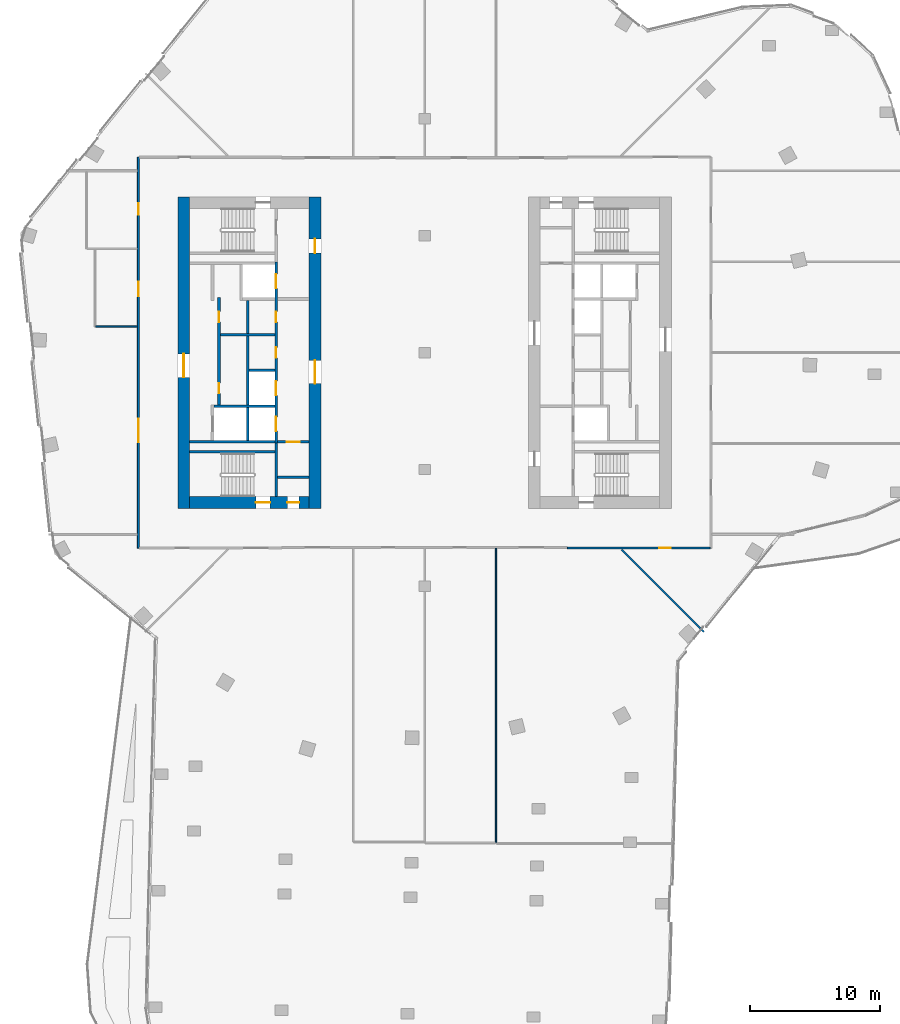
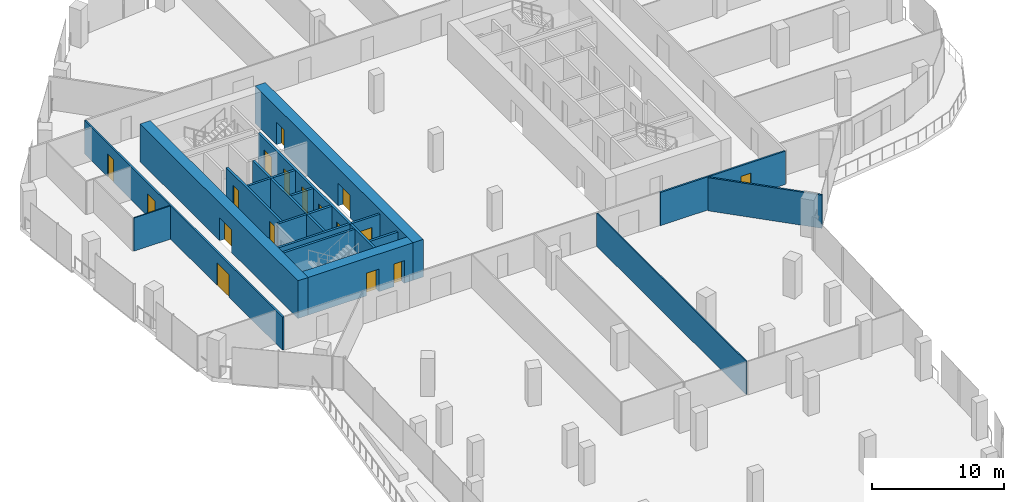
# One storey, part 17 of 24: 21 walls, 17 doors, 17 openings.
"""IFC4 building model written with IfcOpenShell, lengths in metres."""

from ifc_helpers import new_model, si_unit, direction, frame, frame_2d, origin, place, context, subcontext, project, spatial, rectangle, extrude, material, layer, layer_set, type_object, element, fill, save


model = new_model("IFC4")

# Units and contexts
model_context = context("Model", 3, precision=1e-05, world=origin(), true_north=direction((0.0, 1.0)))
body_context = subcontext(model_context, "Body", "Model", "MODEL_VIEW")
ifc_project = project(units=[si_unit("LENGTHUNIT", "METRE"), si_unit("AREAUNIT", "SQUARE_METRE"), si_unit("VOLUMEUNIT", "CUBIC_METRE"), si_unit("PLANEANGLEUNIT", "RADIAN"), si_unit("MASSUNIT", "GRAM", prefix="KILO")], contexts=[model_context])

# Site, building, storey
site_placement = place(None, origin())
site = spatial("IfcSite", under=ifc_project, at=site_placement, CompositionType="ELEMENT")
building_placement = place(site_placement, origin())
building = spatial("IfcBuilding", under=site, at=building_placement, Name="Orlundy Tower", CompositionType="ELEMENT")
storey_placement = place(building_placement, frame((0.0, 0.0, 210.5)))
storey = spatial("IfcBuildingStorey", under=building, at=storey_placement, Name="L55", CompositionType="ELEMENT", Elevation=210.5)

# Wall, openings, doors
ifc_material_1 = material(Name="Concrete C60/75", Category="concrete")
ifc_layer_1 = layer(ifc_material_1, 0.89990234375)
ifc_layer_set_1 = layer_set([ifc_layer_1], Name="CORE WALL 900 C60/75")
wall_type_1 = type_object("IfcWallType", Name="CORE WALL 900 C60/75", PredefinedType="SHEAR", material=ifc_layer_set_1)
wall_1_placement = place(storey_placement, frame((-18.10009765625, -11.550048828125, 0.0), z_axis=(0.0, 0.0, 1.0), x_axis=(1.0, 0.0, 0.0)))
wall_1 = element("IfcWall", 1, at=wall_1_placement, inside=storey, type_object=wall_type_1, Name="Core wall W-S L55", PredefinedType="SHEAR", context=body_context, shape_type="SweptSolid", body=[
    extrude(rectangle(XDim=9.2001953125, YDim=0.89990234375, at=frame_2d((4.60009765625, 0.0))), origin(), (0.0, 0.0, 1.0), 3.5),
])
opening_1_placement = place(wall_1_placement, frame((5.10009765625, 0.0, 0.0)))
opening_1 = element("IfcOpeningElement", 2, at=opening_1_placement, cuts=wall_1, Name="Opening 42013", PredefinedType="OPENING", context=body_context, shape_type="SweptSolid", body=[
    extrude(rectangle(XDim=1.10009765625, YDim=2.10009765625, at=frame_2d((0.550048828125, 1.050048828125))), frame((0.0, 0.4599609375, 0.0), z_axis=(0.0, -1.0, 0.0), x_axis=(1.0, 0.0, 0.0)), (0.0, 0.0, 1.0), 0.919921875),
])
opening_2_placement = place(wall_1_placement, frame((7.530029296875, 0.0, 0.0)))
opening_2 = element("IfcOpeningElement", 3, at=opening_2_placement, cuts=wall_1, Name="Opening 42015", PredefinedType="OPENING", context=body_context, shape_type="SweptSolid", body=[
    extrude(rectangle(XDim=0.89990234375, YDim=2.10009765625, at=frame_2d((0.449951171875, 1.050048828125))), frame((0.0, 0.4599609375, 0.0), z_axis=(0.0, -1.0, 0.0), x_axis=(1.0, 0.0, 0.0)), (0.0, 0.0, 1.0), 0.919921875),
])
ifc_material_2 = material(Name="Timber door set", Category="wood")
door_type_1 = type_object("IfcDoorType", Name="Room Door 900x2100", OperationType="SINGLE_SWING_LEFT", PredefinedType="DOOR", material=ifc_material_2)
door_1_placement = place(opening_2_placement, origin())
door_1 = element("IfcDoor", 4, at=door_1_placement, inside=storey, type_object=door_type_1, Name="Store door 42015", OperationType="SINGLE_SWING_RIGHT", OverallHeight=2.10009765625, OverallWidth=0.89990234375, PredefinedType="DOOR", context=body_context, shape_type="SweptSolid", body=[
    extrude(rectangle(XDim=0.89990234375, YDim=2.10009765625, at=frame_2d((0.449951171875, 1.050048828125))), frame((0.0, 0.02490234375, 0.0), z_axis=(0.0, -1.0, 0.0), x_axis=(1.0, 0.0, 0.0)), (0.0, 0.0, 1.0), 0.050048828125),
])
fill(opening_2, door_1)
ifc_material_3 = material(Name="Steel door set", Category="steel")
door_type_2 = type_object("IfcDoorType", Name="Stair Door 1100x2100", OperationType="SINGLE_SWING_LEFT", PredefinedType="DOOR", material=ifc_material_3)
door_2_placement = place(opening_1_placement, origin())
door_2 = element("IfcDoor", 5, at=door_2_placement, inside=storey, type_object=door_type_2, Name="Stair door 42013", OperationType="SINGLE_SWING_RIGHT", OverallHeight=2.10009765625, OverallWidth=1.10009765625, PredefinedType="DOOR", context=body_context, shape_type="SweptSolid", body=[
    extrude(rectangle(XDim=1.10009765625, YDim=2.10009765625, at=frame_2d((0.550048828125, 1.050048828125))), frame((0.0, 0.02490234375, 0.0), z_axis=(0.0, -1.0, 0.0), x_axis=(1.0, 0.0, 0.0)), (0.0, 0.0, 1.0), 0.050048828125),
])
fill(opening_1, door_2)

# Wall, opening, door
wall_2_placement = place(storey_placement, frame((-18.550048828125, -12.0, 0.0), z_axis=(0.0, 0.0, 1.0), x_axis=(0.0, 1.0, 0.0)))
wall_2 = element("IfcWall", 6, at=wall_2_placement, inside=storey, type_object=wall_type_1, Name="Core wall W-W L55", PredefinedType="SHEAR", context=body_context, shape_type="SweptSolid", body=[
    extrude(rectangle(XDim=24.0, YDim=0.89990234375, at=frame_2d((12.0, 0.0))), origin(), (0.0, 0.0, 1.0), 3.5),
])
opening_3_placement = place(wall_2_placement, frame((10.10009765625, 0.0, 0.0)))
opening_3 = element("IfcOpeningElement", 7, at=opening_3_placement, cuts=wall_2, Name="Opening 42010", PredefinedType="OPENING", context=body_context, shape_type="SweptSolid", body=[
    extrude(rectangle(XDim=1.800048828125, YDim=2.10009765625, at=frame_2d((0.89990234375, 1.050048828125))), frame((0.0, 0.4599609375, 0.0), z_axis=(0.0, -1.0, 0.0), x_axis=(1.0, 0.0, 0.0)), (0.0, 0.0, 1.0), 0.919921875),
])
ifc_material_4 = material(Name="Timber door set", Category="wood")
door_type_3 = type_object("IfcDoorType", Name="Lobby Door 1800x2100", OperationType="DOUBLE_DOOR_DOUBLE_SWING", PredefinedType="DOOR", material=ifc_material_4)
door_3_placement = place(opening_3_placement, origin())
door_3 = element("IfcDoor", 8, at=door_3_placement, inside=storey, type_object=door_type_3, Name="Lift lobby door 42010", OperationType="SINGLE_SWING_LEFT", OverallHeight=2.10009765625, OverallWidth=1.800048828125, PredefinedType="DOOR", context=body_context, shape_type="SweptSolid", body=[
    extrude(rectangle(XDim=1.800048828125, YDim=2.10009765625, at=frame_2d((0.89990234375, 1.050048828125))), frame((0.0, 0.02490234375, 0.0), z_axis=(0.0, -1.0, 0.0), x_axis=(1.0, 0.0, 0.0)), (0.0, 0.0, 1.0), 0.050048828125),
])
fill(opening_3, door_3)

# Wall, openings, doors
wall_3_placement = place(storey_placement, frame((-8.449951171875, -12.0, 0.0), z_axis=(0.0, 0.0, 1.0), x_axis=(0.0, 1.0, 0.0)))
wall_3 = element("IfcWall", 9, at=wall_3_placement, inside=storey, type_object=wall_type_1, Name="Core wall W-E L55", PredefinedType="SHEAR", context=body_context, shape_type="SweptSolid", body=[
    extrude(rectangle(XDim=24.0, YDim=0.89990234375, at=frame_2d((12.0, 0.0))), origin(), (0.0, 0.0, 1.0), 3.5),
])
opening_4_placement = place(wall_3_placement, frame((9.60009765625, 0.0, 0.0)))
opening_4 = element("IfcOpeningElement", 10, at=opening_4_placement, cuts=wall_3, Name="Opening 42009", PredefinedType="OPENING", context=body_context, shape_type="SweptSolid", body=[
    extrude(rectangle(XDim=1.800048828125, YDim=2.10009765625, at=frame_2d((0.89990234375, 1.050048828125))), frame((0.0, 0.4599609375, 0.0), z_axis=(0.0, -1.0, 0.0), x_axis=(1.0, 0.0, 0.0)), (0.0, 0.0, 1.0), 0.919921875),
])
opening_5_placement = place(wall_3_placement, frame((19.64990234375, 0.0, 0.0)))
opening_5 = element("IfcOpeningElement", 11, at=opening_5_placement, cuts=wall_3, Name="Opening 42011", PredefinedType="OPENING", context=body_context, shape_type="SweptSolid", body=[
    extrude(rectangle(XDim=1.10009765625, YDim=2.10009765625, at=frame_2d((0.550048828125, 1.050048828125))), frame((0.0, 0.4599609375, 0.0), z_axis=(0.0, -1.0, 0.0), x_axis=(1.0, 0.0, 0.0)), (0.0, 0.0, 1.0), 0.919921875),
])
ifc_material_5 = material(Name="Steel door set", Category="steel")
door_type_4 = type_object("IfcDoorType", Name="Fire-fighting Lobby Door 1100x2100", OperationType="SINGLE_SWING_LEFT", PredefinedType="DOOR", material=ifc_material_5)
door_4_placement = place(opening_5_placement, origin())
door_4 = element("IfcDoor", 12, at=door_4_placement, inside=storey, type_object=door_type_4, Name="Fire-fighting lobby door 42011", OperationType="SINGLE_SWING_RIGHT", OverallHeight=2.10009765625, OverallWidth=1.10009765625, PredefinedType="DOOR", context=body_context, shape_type="SweptSolid", body=[
    extrude(rectangle(XDim=1.10009765625, YDim=2.10009765625, at=frame_2d((0.550048828125, 1.050048828125))), frame((0.0, 0.02490234375, 0.0), z_axis=(0.0, -1.0, 0.0), x_axis=(1.0, 0.0, 0.0)), (0.0, 0.0, 1.0), 0.050048828125),
])
fill(opening_5, door_4)
door_5_placement = place(opening_4_placement, origin())
door_5 = element("IfcDoor", 13, at=door_5_placement, inside=storey, type_object=door_type_3, Name="Lift lobby door 42009", OperationType="SINGLE_SWING_LEFT", OverallHeight=2.10009765625, OverallWidth=1.800048828125, PredefinedType="DOOR", context=body_context, shape_type="SweptSolid", body=[
    extrude(rectangle(XDim=1.800048828125, YDim=2.10009765625, at=frame_2d((0.89990234375, 1.050048828125))), frame((0.0, 0.02490234375, 0.0), z_axis=(0.0, -1.0, 0.0), x_axis=(1.0, 0.0, 0.0)), (0.0, 0.0, 1.0), 0.050048828125),
])
fill(opening_4, door_5)

# Walls
ifc_material_6 = material(Name="Gypsum board partition")
ifc_layer_2 = layer(ifc_material_6, 0.10009765625)
ifc_layer_set_2 = layer_set([ifc_layer_2], Name="Floor partition 100")
wall_type_2 = type_object("IfcWallType", Name="Floor partition 100", PredefinedType="PARTITIONING", material=ifc_layer_set_2)
wall_4_placement = place(storey_placement, frame((-25.3310546875, 2.0, 0.0), z_axis=(0.0, 0.0, 1.0), x_axis=(1.0, 0.0, 0.0)))
element("IfcWall", 14, at=wall_4_placement, inside=storey, type_object=wall_type_2, Name="wall-int-L55-013", PredefinedType="PARTITIONING", context=body_context, shape_type="SweptSolid", body=[
    extrude(rectangle(XDim=3.2060546875, YDim=0.10009765625, at=frame_2d((1.60302734375, 0.0))), origin(), (0.0, 0.0, 1.0), 3.080078125),
])
wall_5_placement = place(storey_placement, frame((5.49609375, -37.757080078125, 0.0), z_axis=(0.0, 0.0, 1.0), x_axis=(0.0, 1.0, 0.0)))
element("IfcWall", 15, at=wall_5_placement, inside=storey, type_object=wall_type_2, Name="wall-int-L55-024", PredefinedType="PARTITIONING", context=body_context, shape_type="SweptSolid", body=[
    extrude(rectangle(XDim=22.694091796875, YDim=0.10009765625, at=frame_2d((11.34716796875, 0.0))), origin(), (0.0, 0.0, 1.0), 3.080078125),
])
ifc_material_7 = material(Name="Blockwork shaft wall", Category="masonry")
ifc_layer_3 = layer(ifc_material_7, 0.14990234375)
ifc_layer_set_3 = layer_set([ifc_layer_3], Name="Floor shaft wall 150")
wall_type_3 = type_object("IfcWallType", Name="Floor shaft wall 150", PredefinedType="PARTITIONING", material=ifc_layer_set_3)
wall_6_placement = place(storey_placement, frame((15.178955078125, -15.178955078125, 0.0), z_axis=(0.0, 0.0, 1.0), x_axis=(0.707106781187, -0.707106781187, 0.0)))
element("IfcWall", 16, at=wall_6_placement, inside=storey, type_object=wall_type_3, Name="wall-int-L55-002", PredefinedType="PARTITIONING", context=body_context, shape_type="SweptSolid", body=[
    extrude(rectangle(XDim=8.94921875, YDim=0.14990234375, at=frame_2d((4.474609375, 0.0))), origin(), (0.0, 0.0, 1.0), 3.080078125),
])

# Wall, opening, door
wall_7_placement = place(storey_placement, frame((21.97509765625, -15.051025390625, 0.0), z_axis=(0.0, 0.0, 1.0), x_axis=(-1.0, 0.0, 0.0)))
wall_7 = element("IfcWall", 17, at=wall_7_placement, inside=storey, type_object=wall_type_3, Name="wall-int-L55-007", PredefinedType="PARTITIONING", context=body_context, shape_type="SweptSolid", body=[
    extrude(rectangle(XDim=10.984130859375, YDim=0.14990234375, at=frame_2d((5.4921875, 0.0))), origin(), (0.0, 0.0, 1.0), 3.080078125),
])
opening_6_placement = place(wall_7_placement, frame((3.02490234375, 0.0, 0.0)))
opening_6 = element("IfcOpeningElement", 18, at=opening_6_placement, cuts=wall_7, Name="Opening 42101", PredefinedType="OPENING", context=body_context, shape_type="SweptSolid", body=[
    extrude(rectangle(XDim=0.89990234375, YDim=2.10009765625, at=frame_2d((0.449951171875, 1.050048828125))), frame((0.0, 0.0849609375, 0.0), z_axis=(0.0, -1.0, 0.0), x_axis=(1.0, 0.0, 0.0)), (0.0, 0.0, 1.0), 0.169921875),
])
ifc_material_8 = material(Name="Timber door leaf", Category="wood")
door_type_5 = type_object("IfcDoorType", Name="Floor door single 900 FD60", OperationType="NOTDEFINED", PredefinedType="DOOR", material=ifc_material_8)
door_6_placement = place(opening_6_placement, origin())
door_6 = element("IfcDoor", 19, at=door_6_placement, inside=storey, type_object=door_type_5, Name="Door 42101", OperationType="SINGLE_SWING_LEFT", OverallHeight=2.10009765625, OverallWidth=0.89990234375, PredefinedType="DOOR", context=body_context, shape_type="SweptSolid", body=[
    extrude(rectangle(XDim=0.89990234375, YDim=2.10009765625, at=frame_2d((0.449951171875, 1.050048828125))), frame((0.0, 0.02490234375, 0.0), z_axis=(0.0, -1.0, 0.0), x_axis=(1.0, 0.0, 0.0)), (0.0, 0.0, 1.0), 0.050048828125),
])
fill(opening_6, door_6)

# Wall, openings, doors
wall_8_placement = place(storey_placement, frame((-22.050048828125, -15.051025390625, 0.0), z_axis=(0.0, 0.0, 1.0), x_axis=(0.0, 1.0, 0.0)))
wall_8 = element("IfcWall", 20, at=wall_8_placement, inside=storey, type_object=wall_type_3, Name="wall-int-L55-030", PredefinedType="PARTITIONING", context=body_context, shape_type="SweptSolid", body=[
    extrude(rectangle(XDim=30.10205078125, YDim=0.14990234375, at=frame_2d((15.051025390625, 0.0))), origin(), (0.0, 0.0, 1.0), 3.080078125),
])
opening_7_placement = place(wall_8_placement, frame((8.15087890625, 0.0, 0.0)))
opening_7 = element("IfcOpeningElement", 21, at=opening_7_placement, cuts=wall_8, Name="Opening 42117", PredefinedType="OPENING", context=body_context, shape_type="SweptSolid", body=[
    extrude(rectangle(XDim=1.800048828125, YDim=2.10009765625, at=frame_2d((0.89990234375, 1.050048828125))), frame((0.0, 0.0849609375, 0.0), z_axis=(0.0, -1.0, 0.0), x_axis=(1.0, 0.0, 0.0)), (0.0, 0.0, 1.0), 0.169921875),
])
opening_8_placement = place(wall_8_placement, frame((25.652099609375, 0.0, 0.0)))
opening_8 = element("IfcOpeningElement", 22, at=opening_8_placement, cuts=wall_8, Name="Opening 42118", PredefinedType="OPENING", context=body_context, shape_type="SweptSolid", body=[
    extrude(rectangle(XDim=0.89990234375, YDim=2.10009765625, at=frame_2d((0.449951171875, 1.050048828125))), frame((0.0, 0.0849609375, 0.0), z_axis=(0.0, -1.0, 0.0), x_axis=(1.0, 0.0, 0.0)), (0.0, 0.0, 1.0), 0.169921875),
])
opening_9_placement = place(wall_8_placement, frame((19.402099609375, 0.0, 0.0)))
opening_9 = element("IfcOpeningElement", 23, at=opening_9_placement, cuts=wall_8, Name="Opening 42119", PredefinedType="OPENING", context=body_context, shape_type="SweptSolid", body=[
    extrude(rectangle(XDim=1.10009765625, YDim=2.10009765625, at=frame_2d((0.550048828125, 1.050048828125))), frame((0.0, 0.0849609375, 0.0), z_axis=(0.0, -1.0, 0.0), x_axis=(1.0, 0.0, 0.0)), (0.0, 0.0, 1.0), 0.169921875),
])
ifc_material_9 = material(Name="Timber door leaf", Category="wood")
door_type_6 = type_object("IfcDoorType", Name="Floor door double 1800 FD60", OperationType="NOTDEFINED", PredefinedType="DOOR", material=ifc_material_9)
door_7_placement = place(opening_7_placement, origin())
door_7 = element("IfcDoor", 24, at=door_7_placement, inside=storey, type_object=door_type_6, Name="Door 42117", OperationType="DOUBLE_DOOR_SINGLE_SWING", OverallHeight=2.10009765625, OverallWidth=1.800048828125, PredefinedType="DOOR", context=body_context, shape_type="SweptSolid", body=[
    extrude(rectangle(XDim=1.800048828125, YDim=2.10009765625, at=frame_2d((0.89990234375, 1.050048828125))), frame((0.0, 0.02490234375, 0.0), z_axis=(0.0, -1.0, 0.0), x_axis=(1.0, 0.0, 0.0)), (0.0, 0.0, 1.0), 0.050048828125),
])
fill(opening_7, door_7)
door_8_placement = place(opening_8_placement, origin())
door_8 = element("IfcDoor", 25, at=door_8_placement, inside=storey, type_object=door_type_5, Name="Door 42118", OperationType="SINGLE_SWING_RIGHT", OverallHeight=2.10009765625, OverallWidth=0.89990234375, PredefinedType="DOOR", context=body_context, shape_type="SweptSolid", body=[
    extrude(rectangle(XDim=0.89990234375, YDim=2.10009765625, at=frame_2d((0.449951171875, 1.050048828125))), frame((0.0, 0.02490234375, 0.0), z_axis=(0.0, -1.0, 0.0), x_axis=(1.0, 0.0, 0.0)), (0.0, 0.0, 1.0), 0.050048828125),
])
fill(opening_8, door_8)
ifc_material_10 = material(Name="Timber door leaf", Category="wood")
door_type_7 = type_object("IfcDoorType", Name="Floor door xwide 1100 FD60", OperationType="NOTDEFINED", PredefinedType="DOOR", material=ifc_material_10)
door_9_placement = place(opening_9_placement, origin())
door_9 = element("IfcDoor", 26, at=door_9_placement, inside=storey, type_object=door_type_7, Name="Door 42119", OperationType="SINGLE_SWING_RIGHT", OverallHeight=2.10009765625, OverallWidth=1.10009765625, PredefinedType="DOOR", context=body_context, shape_type="SweptSolid", body=[
    extrude(rectangle(XDim=1.10009765625, YDim=2.10009765625, at=frame_2d((0.550048828125, 1.050048828125))), frame((0.0, 0.02490234375, 0.0), z_axis=(0.0, -1.0, 0.0), x_axis=(1.0, 0.0, 0.0)), (0.0, 0.0, 1.0), 0.050048828125),
])
fill(opening_9, door_9)

# Walls
ifc_material_11 = material(Name="Concrete C40/50", Category="concrete")
ifc_layer_4 = layer(ifc_material_11, 0.199951171875)
ifc_layer_set_4 = layer_set([ifc_layer_4], Name="Load-bearing Shaft Wall 200")
wall_type_4 = type_object("IfcWallType", Name="Load-bearing Shaft Wall 200", PredefinedType="SOLIDWALL", material=ifc_layer_set_4)
wall_9_placement = place(storey_placement, frame((-11.43994140625, -11.10009765625, 0.0), z_axis=(0.0, 0.0, 1.0), x_axis=(0.0, 1.0, 0.0)))
element("IfcWall", 27, at=wall_9_placement, inside=storey, type_object=wall_type_4, Name="Shaft wall W42-stair-end-s", PredefinedType="SOLIDWALL", context=body_context, shape_type="SweptSolid", body=[
    extrude(rectangle(XDim=4.125, YDim=0.199951171875, at=frame_2d((2.0625, 0.0))), origin(), (0.0, 0.0, 1.0), 3.090087890625),
])
wall_10_placement = place(storey_placement, frame((-11.5400390625, -7.64990234375, 0.0), z_axis=(0.0, 0.0, 1.0), x_axis=(-1.0, 0.0, 0.0)))
element("IfcWall", 28, at=wall_10_placement, inside=storey, type_object=wall_type_4, Name="Shaft wall W42-stair-side-s", PredefinedType="SOLIDWALL", context=body_context, shape_type="SweptSolid", body=[
    extrude(rectangle(XDim=6.56005859375, YDim=0.199951171875, at=frame_2d((3.280029296875, 0.0))), origin(), (0.0, 0.0, 1.0), 3.090087890625),
])

# Wall, opening, door
ifc_material_12 = material(Name="Gypsum board partition on steel studs", Category="steel")
ifc_layer_5 = layer(ifc_material_12, 0.199951171875)
ifc_layer_set_5 = layer_set([ifc_layer_5], Name="Partition 200")
wall_type_5 = type_object("IfcWallType", Name="Partition 200", PredefinedType="PARTITIONING", material=ifc_layer_set_5)
wall_11_placement = place(storey_placement, frame((-8.89990234375, -6.875, 0.0), z_axis=(0.0, 0.0, 1.0), x_axis=(-1.0, 0.0, 0.0)))
wall_11 = element("IfcWall", 29, at=wall_11_placement, inside=storey, type_object=wall_type_5, Name="Partition wall W42-end-s", PredefinedType="PARTITIONING", context=body_context, shape_type="SweptSolid", body=[
    extrude(rectangle(XDim=2.440185546875, YDim=0.199951171875, at=frame_2d((1.22021484375, 0.0))), origin(), (0.0, 0.0, 1.0), 3.090087890625),
])
opening_10_placement = place(wall_11_placement, frame((0.719970703125, 0.0, 0.0)))
opening_10 = element("IfcOpeningElement", 30, at=opening_10_placement, cuts=wall_11, Name="Opening 42016", PredefinedType="OPENING", context=body_context, shape_type="SweptSolid", body=[
    extrude(rectangle(XDim=1.0, YDim=2.10009765625, at=frame_2d((0.5, 1.050048828125))), frame((0.0, 0.110107421875, 0.0), z_axis=(0.0, -1.0, 0.0), x_axis=(1.0, 0.0, 0.0)), (0.0, 0.0, 1.0), 0.22021484375),
])
ifc_material_13 = material(Name="Timber door set", Category="wood")
door_type_8 = type_object("IfcDoorType", Name="Accessible Door 1000x2100", OperationType="SINGLE_SWING_LEFT", PredefinedType="DOOR", material=ifc_material_13)
door_10_placement = place(opening_10_placement, origin())
door_10 = element("IfcDoor", 31, at=door_10_placement, inside=storey, type_object=door_type_8, Name="Accessible WC door 42016", OperationType="SINGLE_SWING_RIGHT", OverallHeight=2.10009765625, OverallWidth=1.0, PredefinedType="DOOR", context=body_context, shape_type="SweptSolid", body=[
    extrude(rectangle(XDim=1.0, YDim=2.10009765625, at=frame_2d((0.5, 1.050048828125))), frame((0.0, 0.02490234375, 0.0), z_axis=(0.0, -1.0, 0.0), x_axis=(1.0, 0.0, 0.0)), (0.0, 0.0, 1.0), 0.050048828125),
])
fill(opening_10, door_10)

# Walls
wall_12_placement = place(storey_placement, frame((-8.89990234375, -9.60009765625, 0.0), z_axis=(0.0, 0.0, 1.0), x_axis=(-1.0, 0.0, 0.0)))
element("IfcWall", 32, at=wall_12_placement, inside=storey, type_object=wall_type_5, Name="Partition wall W42-room-s0", PredefinedType="PARTITIONING", context=body_context, shape_type="SweptSolid", body=[
    extrude(rectangle(XDim=2.440185546875, YDim=0.199951171875, at=frame_2d((1.22021484375, 0.0))), origin(), (0.0, 0.0, 1.0), 3.090087890625),
])
ifc_material_14 = material(Name="Fire-rated blockwork shaft wall", Category="masonry")
ifc_layer_6 = layer(ifc_material_14, 0.199951171875)
ifc_layer_set_6 = layer_set([ifc_layer_6], Name="Shaft Wall 200")
wall_type_6 = type_object("IfcWallType", Name="Shaft Wall 200", PredefinedType="SOLIDWALL", material=ifc_layer_set_6)
wall_13_placement = place(storey_placement, frame((-11.5400390625, -6.875, 0.0), z_axis=(0.0, 0.0, 1.0), x_axis=(-1.0, 0.0, 0.0)))
element("IfcWall", 33, at=wall_13_placement, inside=storey, type_object=wall_type_6, Name="Shaft wall W42-zone-s", PredefinedType="SOLIDWALL", context=body_context, shape_type="SweptSolid", body=[
    extrude(rectangle(XDim=6.56005859375, YDim=0.199951171875, at=frame_2d((3.280029296875, 0.0))), origin(), (0.0, 0.0, 1.0), 3.090087890625),
])
wall_14_placement = place(storey_placement, frame((-11.5400390625, -4.125, 0.0), z_axis=(0.0, 0.0, 1.0), x_axis=(-1.0, 0.0, 0.0)))
element("IfcWall", 34, at=wall_14_placement, inside=storey, type_object=wall_type_6, Name="Shaft wall W42-cross-4.125", PredefinedType="SOLIDWALL", context=body_context, shape_type="SweptSolid", body=[
    extrude(rectangle(XDim=4.699951171875, YDim=0.199951171875, at=frame_2d((2.35009765625, 0.0))), origin(), (0.0, 0.0, 1.0), 3.090087890625),
])
wall_15_placement = place(storey_placement, frame((-11.5400390625, -1.375, 0.0), z_axis=(0.0, 0.0, 1.0), x_axis=(-1.0, 0.0, 0.0)))
element("IfcWall", 35, at=wall_15_placement, inside=storey, type_object=wall_type_6, Name="Shaft wall W42-cross-1.375", PredefinedType="SOLIDWALL", context=body_context, shape_type="SweptSolid", body=[
    extrude(rectangle(XDim=2.0, YDim=0.199951171875, at=frame_2d((1.0, 0.0))), origin(), (0.0, 0.0, 1.0), 3.090087890625),
])
wall_16_placement = place(storey_placement, frame((-11.5400390625, 1.375, 0.0), z_axis=(0.0, 0.0, 1.0), x_axis=(-1.0, 0.0, 0.0)))
element("IfcWall", 36, at=wall_16_placement, inside=storey, type_object=wall_type_6, Name="Shaft wall W42-cross+1.375", PredefinedType="SOLIDWALL", context=body_context, shape_type="SweptSolid", body=[
    extrude(rectangle(XDim=4.199951171875, YDim=0.199951171875, at=frame_2d((2.10009765625, 0.0))), origin(), (0.0, 0.0, 1.0), 3.090087890625),
])

# Wall, openings, doors
wall_17_placement = place(storey_placement, frame((-11.43994140625, -6.97509765625, 0.0), z_axis=(0.0, 0.0, 1.0), x_axis=(0.0, 1.0, 0.0)))
wall_17 = element("IfcWall", 37, at=wall_17_placement, inside=storey, type_object=wall_type_6, Name="Shaft wall W42-front-h", PredefinedType="SOLIDWALL", context=body_context, shape_type="SweptSolid", body=[
    extrude(rectangle(XDim=13.9501953125, YDim=0.199951171875, at=frame_2d((6.97509765625, 0.0))), origin(), (0.0, 0.0, 1.0), 3.090087890625),
])
opening_11_placement = place(wall_17_placement, frame((0.925048828125, 0.0, 0.0)))
opening_11 = element("IfcOpeningElement", 38, at=opening_11_placement, cuts=wall_17, Name="Opening 42001", PredefinedType="OPENING", context=body_context, shape_type="SweptSolid", body=[
    extrude(rectangle(XDim=1.10009765625, YDim=2.10009765625, at=frame_2d((0.550048828125, 1.050048828125))), frame((0.0, 0.110107421875, 0.0), z_axis=(0.0, -1.0, 0.0), x_axis=(1.0, 0.0, 0.0)), (0.0, 0.0, 1.0), 0.22021484375),
])
opening_12_placement = place(wall_17_placement, frame((3.675048828125, 0.0, 0.0)))
opening_12 = element("IfcOpeningElement", 39, at=opening_12_placement, cuts=wall_17, Name="Opening 42003", PredefinedType="OPENING", context=body_context, shape_type="SweptSolid", body=[
    extrude(rectangle(XDim=1.10009765625, YDim=2.10009765625, at=frame_2d((0.550048828125, 1.050048828125))), frame((0.0, 0.110107421875, 0.0), z_axis=(0.0, -1.0, 0.0), x_axis=(1.0, 0.0, 0.0)), (0.0, 0.0, 1.0), 0.22021484375),
])
opening_13_placement = place(wall_17_placement, frame((11.925048828125, 0.0, 0.0)))
opening_13 = element("IfcOpeningElement", 40, at=opening_13_placement, cuts=wall_17, Name="Opening 42004", PredefinedType="OPENING", context=body_context, shape_type="SweptSolid", body=[
    extrude(rectangle(XDim=1.10009765625, YDim=2.10009765625, at=frame_2d((0.550048828125, 1.050048828125))), frame((0.0, 0.110107421875, 0.0), z_axis=(0.0, -1.0, 0.0), x_axis=(1.0, 0.0, 0.0)), (0.0, 0.0, 1.0), 0.22021484375),
])
opening_14_placement = place(wall_17_placement, frame((6.574951171875, 0.0, 0.0)))
opening_14 = element("IfcOpeningElement", 41, at=opening_14_placement, cuts=wall_17, Name="Opening 42006", PredefinedType="OPENING", context=body_context, shape_type="SweptSolid", body=[
    extrude(rectangle(XDim=0.800048828125, YDim=2.10009765625, at=frame_2d((0.39990234375, 1.050048828125))), frame((0.0, 0.110107421875, 0.0), z_axis=(0.0, -1.0, 0.0), x_axis=(1.0, 0.0, 0.0)), (0.0, 0.0, 1.0), 0.22021484375),
])
opening_15_placement = place(wall_17_placement, frame((9.324951171875, 0.0, 0.0)))
opening_15 = element("IfcOpeningElement", 42, at=opening_15_placement, cuts=wall_17, Name="Opening 42007", PredefinedType="OPENING", context=body_context, shape_type="SweptSolid", body=[
    extrude(rectangle(XDim=0.800048828125, YDim=2.10009765625, at=frame_2d((0.39990234375, 1.050048828125))), frame((0.0, 0.110107421875, 0.0), z_axis=(0.0, -1.0, 0.0), x_axis=(1.0, 0.0, 0.0)), (0.0, 0.0, 1.0), 0.22021484375),
])
ifc_material_15 = material(Name="Steel door set", Category="steel")
door_type_9 = type_object("IfcDoorType", Name="Landing Door 1100x2100", OperationType="DOUBLE_DOOR_SLIDING", PredefinedType="DOOR", material=ifc_material_15)
door_11_placement = place(opening_11_placement, origin())
door_11 = element("IfcDoor", 43, at=door_11_placement, inside=storey, type_object=door_type_9, Name="Lift landing door LP-22 42001", OperationType="DOUBLE_DOOR_SLIDING", OverallHeight=2.10009765625, OverallWidth=1.10009765625, PredefinedType="DOOR", context=body_context, shape_type="SweptSolid", body=[
    extrude(rectangle(XDim=1.10009765625, YDim=2.10009765625, at=frame_2d((0.550048828125, 1.050048828125))), frame((0.0, 0.02490234375, 0.0), z_axis=(0.0, -1.0, 0.0), x_axis=(1.0, 0.0, 0.0)), (0.0, 0.0, 1.0), 0.050048828125),
])
fill(opening_11, door_11)
door_12_placement = place(opening_12_placement, origin())
door_12 = element("IfcDoor", 44, at=door_12_placement, inside=storey, type_object=door_type_9, Name="Lift landing door LP-21 42003", OperationType="DOUBLE_DOOR_SLIDING", OverallHeight=2.10009765625, OverallWidth=1.10009765625, PredefinedType="DOOR", context=body_context, shape_type="SweptSolid", body=[
    extrude(rectangle(XDim=1.10009765625, YDim=2.10009765625, at=frame_2d((0.550048828125, 1.050048828125))), frame((0.0, 0.02490234375, 0.0), z_axis=(0.0, -1.0, 0.0), x_axis=(1.0, 0.0, 0.0)), (0.0, 0.0, 1.0), 0.050048828125),
])
fill(opening_12, door_12)
door_13_placement = place(opening_13_placement, origin())
door_13 = element("IfcDoor", 45, at=door_13_placement, inside=storey, type_object=door_type_9, Name="Lift landing door FL1 42004", OperationType="DOUBLE_DOOR_SLIDING", OverallHeight=2.10009765625, OverallWidth=1.10009765625, PredefinedType="DOOR", context=body_context, shape_type="SweptSolid", body=[
    extrude(rectangle(XDim=1.10009765625, YDim=2.10009765625, at=frame_2d((0.550048828125, 1.050048828125))), frame((0.0, 0.02490234375, 0.0), z_axis=(0.0, -1.0, 0.0), x_axis=(1.0, 0.0, 0.0)), (0.0, 0.0, 1.0), 0.050048828125),
])
fill(opening_13, door_13)
ifc_material_16 = material(Name="Timber door set", Category="wood")
door_type_10 = type_object("IfcDoorType", Name="Riser Door 800x2100", OperationType="SINGLE_SWING_LEFT", PredefinedType="DOOR", material=ifc_material_16)
door_14_placement = place(opening_14_placement, origin())
door_14 = element("IfcDoor", 46, at=door_14_placement, inside=storey, type_object=door_type_10, Name="Security Store door 42006", OperationType="SINGLE_SWING_LEFT", OverallHeight=2.10009765625, OverallWidth=0.800048828125, PredefinedType="DOOR", context=body_context, shape_type="SweptSolid", body=[
    extrude(rectangle(XDim=0.800048828125, YDim=2.10009765625, at=frame_2d((0.39990234375, 1.050048828125))), frame((0.0, 0.02490234375, 0.0), z_axis=(0.0, -1.0, 0.0), x_axis=(1.0, 0.0, 0.0)), (0.0, 0.0, 1.0), 0.050048828125),
])
fill(opening_14, door_14)
door_15_placement = place(opening_15_placement, origin())
door_15 = element("IfcDoor", 47, at=door_15_placement, inside=storey, type_object=door_type_10, Name="Furniture Store door 42007", OperationType="SINGLE_SWING_LEFT", OverallHeight=2.10009765625, OverallWidth=0.800048828125, PredefinedType="DOOR", context=body_context, shape_type="SweptSolid", body=[
    extrude(rectangle(XDim=0.800048828125, YDim=2.10009765625, at=frame_2d((0.39990234375, 1.050048828125))), frame((0.0, 0.02490234375, 0.0), z_axis=(0.0, -1.0, 0.0), x_axis=(1.0, 0.0, 0.0)), (0.0, 0.0, 1.0), 0.050048828125),
])
fill(opening_15, door_15)

# Walls
wall_18_placement = place(storey_placement, frame((-13.639892578125, -6.77490234375, 0.0), z_axis=(0.0, 0.0, 1.0), x_axis=(0.0, 1.0, 0.0)))
element("IfcWall", 48, at=wall_18_placement, inside=storey, type_object=wall_type_6, Name="Shaft wall W42-mid-a", PredefinedType="SOLIDWALL", context=body_context, shape_type="SweptSolid", body=[
    extrude(rectangle(XDim=2.5498046875, YDim=0.199951171875, at=frame_2d((1.27490234375, 0.0))), origin(), (0.0, 0.0, 1.0), 3.090087890625),
])
wall_19_placement = place(storey_placement, frame((-13.639892578125, -4.02490234375, 0.0), z_axis=(0.0, 0.0, 1.0), x_axis=(0.0, 1.0, 0.0)))
element("IfcWall", 49, at=wall_19_placement, inside=storey, type_object=wall_type_6, Name="Shaft wall W42-mid-a.1", PredefinedType="SOLIDWALL", context=body_context, shape_type="SweptSolid", body=[
    extrude(rectangle(XDim=5.2998046875, YDim=0.199951171875, at=frame_2d((2.64990234375, 0.0))), origin(), (0.0, 0.0, 1.0), 3.090087890625),
])
wall_20_placement = place(storey_placement, frame((-13.639892578125, 1.47509765625, 0.0), z_axis=(0.0, 0.0, 1.0), x_axis=(0.0, 1.0, 0.0)))
element("IfcWall", 50, at=wall_20_placement, inside=storey, type_object=wall_type_6, Name="Shaft wall W42-mid-a.2", PredefinedType="SOLIDWALL", context=body_context, shape_type="SweptSolid", body=[
    extrude(rectangle(XDim=2.5498046875, YDim=0.199951171875, at=frame_2d((1.27490234375, 0.0))), origin(), (0.0, 0.0, 1.0), 3.090087890625),
])

# Wall, openings, doors
wall_21_placement = place(storey_placement, frame((-15.840087890625, -4.02490234375, 0.0), z_axis=(0.0, 0.0, 1.0), x_axis=(0.0, 1.0, 0.0)))
wall_21 = element("IfcWall", 51, at=wall_21_placement, inside=storey, type_object=wall_type_6, Name="Shaft wall W42-front-o-b", PredefinedType="SOLIDWALL", context=body_context, shape_type="SweptSolid", body=[
    extrude(rectangle(XDim=8.25, YDim=0.199951171875, at=frame_2d((4.125, 0.0))), origin(), (0.0, 0.0, 1.0), 3.090087890625),
])
opening_16_placement = place(wall_21_placement, frame((0.875, 0.0, 0.0)))
opening_16 = element("IfcOpeningElement", 52, at=opening_16_placement, cuts=wall_21, Name="Opening 42005", PredefinedType="OPENING", context=body_context, shape_type="SweptSolid", body=[
    extrude(rectangle(XDim=0.800048828125, YDim=2.10009765625, at=frame_2d((0.39990234375, 1.050048828125))), frame((0.0, 0.110107421875, 0.0), z_axis=(0.0, -1.0, 0.0), x_axis=(1.0, 0.0, 0.0)), (0.0, 0.0, 1.0), 0.22021484375),
])
opening_17_placement = place(wall_21_placement, frame((6.375, 0.0, 0.0)))
opening_17 = element("IfcOpeningElement", 53, at=opening_17_placement, cuts=wall_21, Name="Opening 42008", PredefinedType="OPENING", context=body_context, shape_type="SweptSolid", body=[
    extrude(rectangle(XDim=0.800048828125, YDim=2.10009765625, at=frame_2d((0.39990234375, 1.050048828125))), frame((0.0, 0.110107421875, 0.0), z_axis=(0.0, -1.0, 0.0), x_axis=(1.0, 0.0, 0.0)), (0.0, 0.0, 1.0), 0.22021484375),
])
door_16_placement = place(opening_16_placement, origin())
door_16 = element("IfcDoor", 54, at=door_16_placement, inside=storey, type_object=door_type_10, Name="HVAC Riser door 42005", OperationType="SINGLE_SWING_LEFT", OverallHeight=2.10009765625, OverallWidth=0.800048828125, PredefinedType="DOOR", context=body_context, shape_type="SweptSolid", body=[
    extrude(rectangle(XDim=0.800048828125, YDim=2.10009765625, at=frame_2d((0.39990234375, 1.050048828125))), frame((0.0, 0.02490234375, 0.0), z_axis=(0.0, -1.0, 0.0), x_axis=(1.0, 0.0, 0.0)), (0.0, 0.0, 1.0), 0.050048828125),
])
fill(opening_16, door_16)
door_17_placement = place(opening_17_placement, origin())
door_17 = element("IfcDoor", 55, at=door_17_placement, inside=storey, type_object=door_type_10, Name="Cleaner's Store door 42008", OperationType="SINGLE_SWING_LEFT", OverallHeight=2.10009765625, OverallWidth=0.800048828125, PredefinedType="DOOR", context=body_context, shape_type="SweptSolid", body=[
    extrude(rectangle(XDim=0.800048828125, YDim=2.10009765625, at=frame_2d((0.39990234375, 1.050048828125))), frame((0.0, 0.02490234375, 0.0), z_axis=(0.0, -1.0, 0.0), x_axis=(1.0, 0.0, 0.0)), (0.0, 0.0, 1.0), 0.050048828125),
])
fill(opening_17, door_17)

save(model, "model.ifc")
